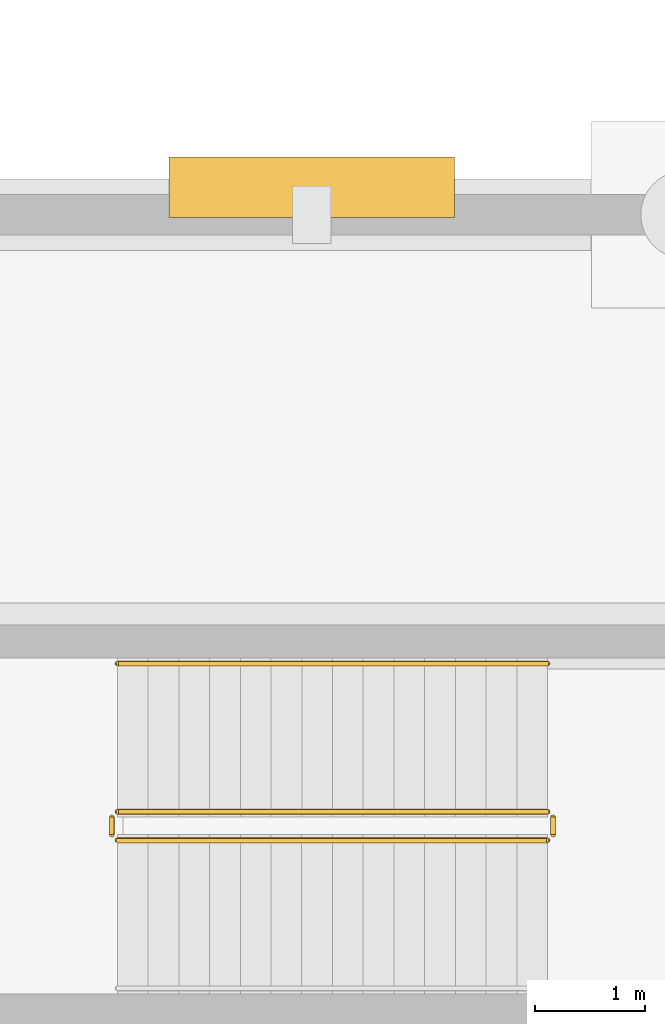
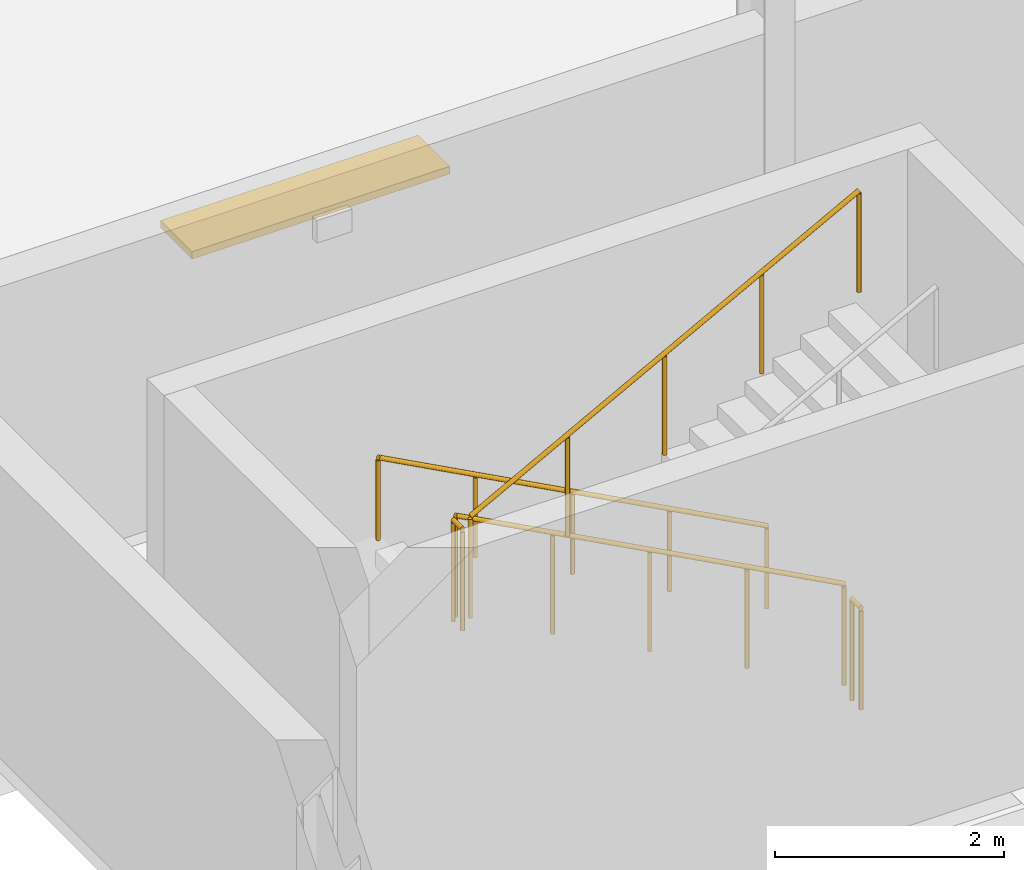
# One storey, part 120 of 125: 5 railings, 1 shading device.
"""IFC4 building model written with IfcOpenShell, lengths in metres."""

from ifc_helpers import new_model, si_unit, direction, frame, origin, origin_2d, place, context, subcontext, project, spatial, rectangle, circle, extrude, material, layer, layer_set, type_object, element, save


model = new_model("IFC4")

# Units and contexts
model_context = context("Model", 3, precision=1e-05, world=origin(), true_north=direction((0.0, 1.0)))
body_context = subcontext(model_context, "Body", "Model", "MODEL_VIEW")
ifc_project = project(units=[si_unit("LENGTHUNIT", "METRE"), si_unit("AREAUNIT", "SQUARE_METRE"), si_unit("VOLUMEUNIT", "CUBIC_METRE"), si_unit("PLANEANGLEUNIT", "RADIAN"), si_unit("MASSUNIT", "GRAM", prefix="KILO")], contexts=[model_context])

# Site, building, storey
site_placement = place(None, origin())
site = spatial("IfcSite", under=ifc_project, at=site_placement, CompositionType="ELEMENT")
building_placement = place(site_placement, origin())
building = spatial("IfcBuilding", under=site, at=building_placement, Name="Serraforn Aerial Cableway Station", CompositionType="ELEMENT")
storey_placement = place(building_placement, frame((0.0, 0.0, 4.5)))
storey = spatial("IfcBuildingStorey", under=building, at=storey_placement, Name="L01", CompositionType="ELEMENT", Elevation=4.5)

# Railings
ifc_material_1 = material(Name="Patinated bronze stair guardrail")
ifc_layer_1 = layer(ifc_material_1, 0.050048828125)
ifc_layer_set_1 = layer_set([ifc_layer_1], Name="Patinated bronze stair guardrail")
railing_type_1 = type_object("IfcRailingType", Name="RL-STR-GRD", PredefinedType="GUARDRAIL", material=ifc_layer_set_1)
railing_1_placement = place(storey_placement, frame((100.85009765625, 36.56005859375, 0.14990234375)))
element("IfcRailing", 1, at=railing_1_placement, inside=storey, type_object=railing_type_1, Name="L01 ST-08 stair guard 1", PredefinedType="GUARDRAIL", context=body_context, shape_type="SweptSolid", body=[
    extrude(circle(Radius=0.02392578125, at=origin_2d()), frame((0.0, 0.0, 1.076171875), z_axis=(-0.881479153919, 0.0, 0.472222935917), x_axis=(0.0, -1.0, 0.0)), (0.0, 0.0, 1.0), 4.447265625),
    extrude(circle(Radius=0.02099609375, at=origin_2d()), origin(), (0.0, 0.0, 1.0), 1.052001953125),
    extrude(circle(Radius=0.02099609375, at=origin_2d()), frame((-0.97998046875, 0.0, 0.52490234375)), (0.0, 0.0, 1.0), 1.052001953125),
    extrude(circle(Radius=0.02099609375, at=origin_2d()), frame((-1.9599609375, 0.0, 1.050048828125)), (0.0, 0.0, 1.0), 1.052001953125),
    extrude(circle(Radius=0.02099609375, at=origin_2d()), frame((-2.940185546875, 0.0, 1.5751953125)), (0.0, 0.0, 1.0), 1.052001953125),
    extrude(circle(Radius=0.02099609375, at=origin_2d()), frame((-3.920166015625, 0.0, 2.10009765625)), (0.0, 0.0, 1.0), 1.052001953125),
])
railing_2_placement = place(storey_placement, frame((96.8798828125, 36.510009765625, 2.25)))
element("IfcRailing", 2, at=railing_2_placement, inside=storey, type_object=railing_type_1, Name="L01 ST-08 stair guard 2", PredefinedType="GUARDRAIL", context=body_context, shape_type="SweptSolid", body=[
    extrude(circle(Radius=0.02392578125, at=origin_2d()), frame((0.0, 0.0, 1.076171875), z_axis=(0.0, -1.0, 0.0), x_axis=(1.0, 0.0, 0.0)), (0.0, 0.0, 1.0), 0.159912109375),
    extrude(circle(Radius=0.02099609375, at=origin_2d()), origin(), (0.0, 0.0, 1.0), 1.052001953125),
    extrude(circle(Radius=0.02099609375, at=origin_2d()), frame((0.0, -0.159912109375, 0.0)), (0.0, 0.0, 1.0), 1.052001953125),
])
railing_3_placement = place(storey_placement, frame((96.929931640625, 36.300048828125, 2.39990234375)))
element("IfcRailing", 3, at=railing_3_placement, inside=storey, type_object=railing_type_1, Name="L01 ST-08 stair guard 3", PredefinedType="GUARDRAIL", context=body_context, shape_type="SweptSolid", body=[
    extrude(circle(Radius=0.02392578125, at=origin_2d()), frame((0.0, 0.0, 1.076171875), z_axis=(0.881479153919, 0.0, 0.472222935917), x_axis=(0.0, 1.0, 0.0)), (0.0, 0.0, 1.0), 4.447265625),
    extrude(circle(Radius=0.02099609375, at=origin_2d()), origin(), (0.0, 0.0, 1.0), 1.052001953125),
    extrude(circle(Radius=0.02099609375, at=origin_2d()), frame((0.97998046875, 0.0, 0.52490234375)), (0.0, 0.0, 1.0), 1.052001953125),
    extrude(circle(Radius=0.02099609375, at=origin_2d()), frame((1.9599609375, 0.0, 1.050048828125)), (0.0, 0.0, 1.0), 1.052001953125),
    extrude(circle(Radius=0.02099609375, at=origin_2d()), frame((2.940185546875, 0.0, 1.5751953125)), (0.0, 0.0, 1.0), 1.052001953125),
    extrude(circle(Radius=0.02099609375, at=origin_2d()), frame((3.920166015625, 0.0, 2.10009765625)), (0.0, 0.0, 1.0), 1.052001953125),
])
railing_4_placement = place(storey_placement, frame((100.89990234375, 36.510009765625, 0.0)))
element("IfcRailing", 4, at=railing_4_placement, inside=storey, type_object=railing_type_1, Name="L01 ST-08 stair guard 4", PredefinedType="GUARDRAIL", context=body_context, shape_type="SweptSolid", body=[
    extrude(circle(Radius=0.02392578125, at=origin_2d()), frame((0.0, 0.0, 1.076171875), z_axis=(0.0, -1.0, 0.0), x_axis=(1.0, 0.0, 0.0)), (0.0, 0.0, 1.0), 0.159912109375),
    extrude(circle(Radius=0.02099609375, at=origin_2d()), origin(), (0.0, 0.0, 1.0), 1.052001953125),
    extrude(circle(Radius=0.02099609375, at=origin_2d()), frame((0.0, -0.159912109375, 0.0)), (0.0, 0.0, 1.0), 1.052001953125),
])
ifc_material_2 = material(Name="Brushed bronze tubular handrail")
ifc_layer_2 = layer(ifc_material_2, 0.048095703125)
ifc_layer_set_2 = layer_set([ifc_layer_2], Name="Brushed bronze tubular handrail")
railing_type_2 = type_object("IfcRailingType", Name="RL-STR-HDR", PredefinedType="HANDRAIL", material=ifc_layer_set_2)
railing_5_placement = place(storey_placement, frame((100.85009765625, 37.909912109375, 0.14990234375)))
element("IfcRailing", 5, at=railing_5_placement, inside=storey, type_object=railing_type_2, Name="L01 ST-08 stair handrail 1", PredefinedType="HANDRAIL", context=body_context, shape_type="SweptSolid", body=[
    extrude(circle(Radius=0.02392578125, at=origin_2d()), frame((0.0, 0.0, 0.8759765625), z_axis=(-0.881479153919, 0.0, 0.472222935917), x_axis=(0.0, -1.0, 0.0)), (0.0, 0.0, 1.0), 4.447265625),
    extrude(circle(Radius=0.02099609375, at=origin_2d()), origin(), (0.0, 0.0, 1.0), 0.851806640625),
    extrude(circle(Radius=0.02099609375, at=origin_2d()), frame((-0.97998046875, 0.0, 0.52490234375)), (0.0, 0.0, 1.0), 0.851806640625),
    extrude(circle(Radius=0.02099609375, at=origin_2d()), frame((-1.9599609375, 0.0, 1.050048828125)), (0.0, 0.0, 1.0), 0.851806640625),
    extrude(circle(Radius=0.02099609375, at=origin_2d()), frame((-2.940185546875, 0.0, 1.5751953125)), (0.0, 0.0, 1.0), 0.851806640625),
    extrude(circle(Radius=0.02099609375, at=origin_2d()), frame((-3.920166015625, 0.0, 2.10009765625)), (0.0, 0.0, 1.0), 0.851806640625),
])

# Shading device
ifc_material_3 = material(Name="Anodised bronze solar brise-soleil louvre")
ifc_layer_3 = layer(ifc_material_3, 0.080078125)
ifc_layer_set_3 = layer_set([ifc_layer_3], Name="Anodised bronze solar brise-soleil louvre")
shading_device_type = type_object("IfcShadingDeviceType", Name="SHD-LOUVRE", PredefinedType="USERDEFINED", material=ifc_layer_set_3)
shading_device_placement = place(storey_placement, frame((98.699951171875, 42.25, 2.60986328125), z_axis=(0.0, 0.0, 1.0), x_axis=(1.0, 0.0, 0.0)))
element("IfcShadingDevice", 6, at=shading_device_placement, inside=storey, type_object=shading_device_type, Name="Art Deco Bronze Brise-Soleil 09", ObjectType="SUNSHADE", PredefinedType="USERDEFINED", context=body_context, shape_type="SweptSolid", body=[
    extrude(rectangle(XDim=2.60009765625, YDim=0.550048828125, at=origin_2d()), origin(), (0.0, 0.0, 1.0), 0.080078125),
])

save(model, "model.ifc")
